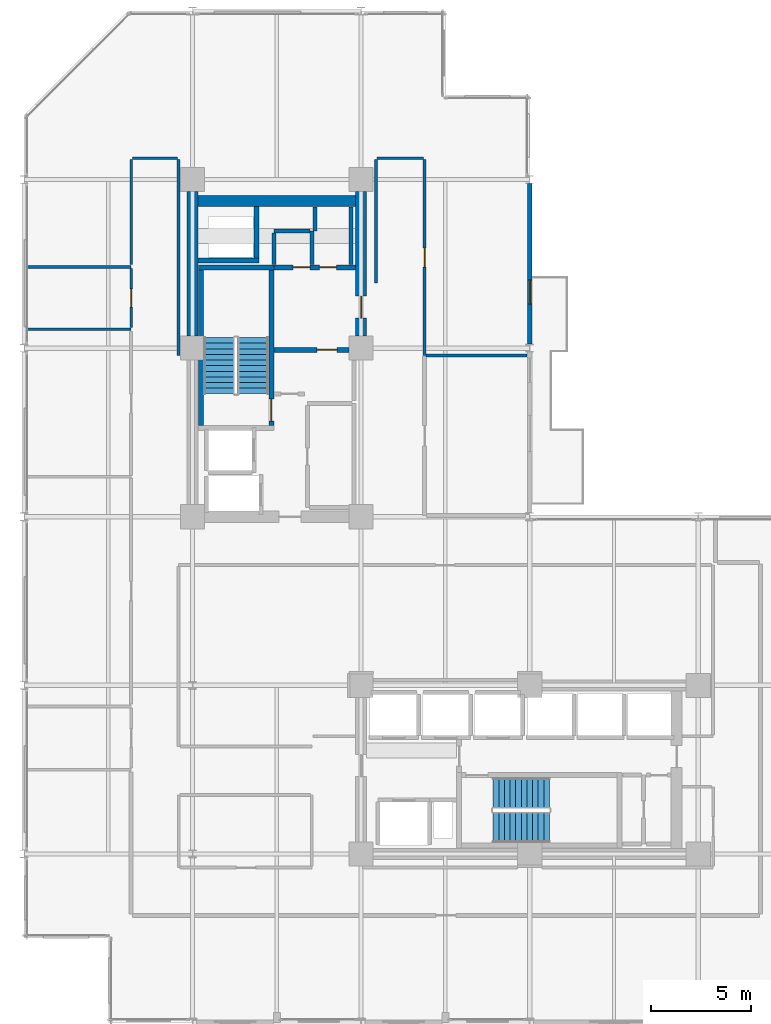
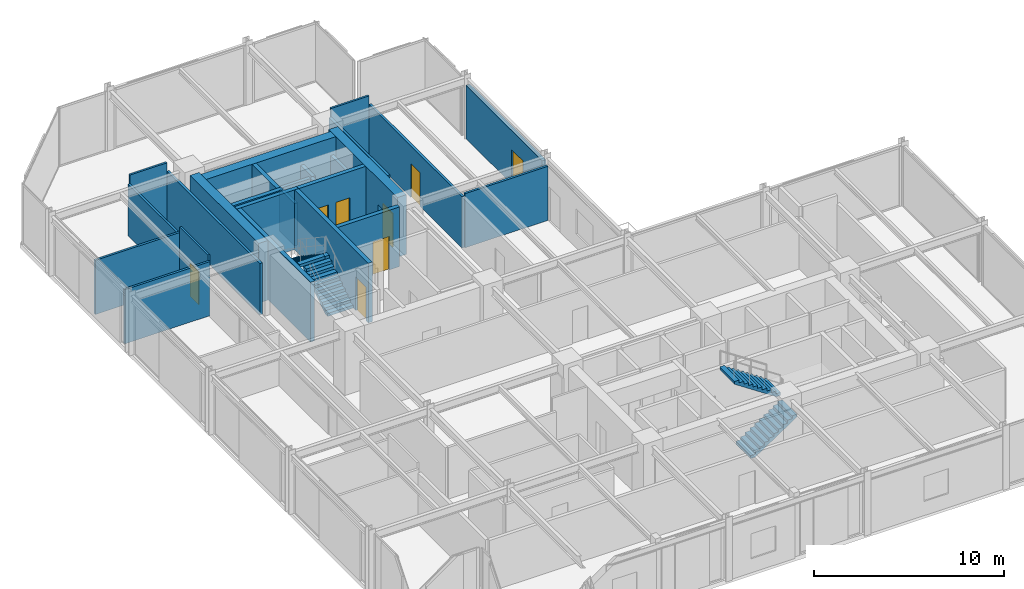
# One storey, part 26 of 29: 26 walls, 8 doors, 4 stair flights, 8 openings, 2 elements without a shape of their own.
"""IFC4 building model written with IfcOpenShell, lengths in metres."""

from ifc_helpers import new_model, si_unit, direction, frame, frame_2d, origin, place, context, subcontext, project, spatial, polyline, rectangle, outline, extrude, material, layer, layer_set, type_object, element, fill, aggregate, save


model = new_model("IFC4")

# Units and contexts
model_context = context("Model", 3, precision=1e-05, world=origin(), true_north=direction((0.0, 1.0)))
body_context = subcontext(model_context, "Body", "Model", "MODEL_VIEW")
ifc_project = project(units=[si_unit("LENGTHUNIT", "METRE"), si_unit("AREAUNIT", "SQUARE_METRE"), si_unit("VOLUMEUNIT", "CUBIC_METRE"), si_unit("PLANEANGLEUNIT", "RADIAN"), si_unit("MASSUNIT", "GRAM", prefix="KILO")], contexts=[model_context])

# Site, building, storey
site_placement = place(None, origin())
site = spatial("IfcSite", under=ifc_project, at=site_placement, CompositionType="ELEMENT")
building_placement = place(site_placement, origin())
building = spatial("IfcBuilding", under=site, at=building_placement, Name="Nerrivon Quay Data Exchange", CompositionType="ELEMENT")
storey_placement = place(building_placement, frame((0.0, 0.0, 133.60009765625)))
storey = spatial("IfcBuildingStorey", under=building, at=storey_placement, Name="L31", CompositionType="ELEMENT", Elevation=133.60009765625)

# Wall, opening, door
ifc_material_1 = material(Name="Architectural terracotta precast concrete N50 (50 MPa)", Category="masonry")
ifc_layer_1 = layer(ifc_material_1, 0.239990234375)
ifc_layer_set_1 = layer_set([ifc_layer_1], Name="Architectural terracotta precast concrete N50 (50 MPa)")
wall_type_1 = type_object("IfcWallType", Name="EW-PREC-240", PredefinedType="STANDARD", material=ifc_layer_set_1)
wall_1_placement = place(storey_placement, frame((25.199951171875, 41.800048828125, 0.0), z_axis=(0.0, 0.0, 1.0), x_axis=(0.0, -1.0, 0.0)))
wall_1 = element("IfcWall", 1, at=wall_1_placement, inside=storey, type_object=wall_type_1, Name="L31 Terrace Host Wall 24", PredefinedType="STANDARD", context=body_context, shape_type="SweptSolid", body=[
    extrude(rectangle(XDim=8.0, YDim=0.239990234375, at=frame_2d((4.0, 0.0))), origin(), (0.0, 0.0, 1.0), 3.421875),
])
opening_1_placement = place(wall_1_placement, frame((4.800048828125, 0.0, 0.0)))
opening_1 = element("IfcOpeningElement", 2, at=opening_1_placement, cuts=wall_1, Name="Opening TD1", PredefinedType="OPENING", context=body_context, shape_type="SweptSolid", body=[
    extrude(rectangle(XDim=1.199951171875, YDim=2.199951171875, at=frame_2d((0.60009765625, 1.10009765625))), frame((0.0, 0.1298828125, 0.0), z_axis=(0.0, -1.0, 0.0), x_axis=(1.0, 0.0, 0.0)), (0.0, 0.0, 1.0), 0.260009765625),
])
ifc_material_2 = material(Name="Double-glazed low-E solar control glass", Category="glass")
door_type_1 = type_object("IfcDoorType", Name="DR-TERR-1200x2200", OperationType="NOTDEFINED", PredefinedType="DOOR", material=ifc_material_2)
door_1_placement = place(opening_1_placement, origin())
door_1 = element("IfcDoor", 3, at=door_1_placement, inside=storey, type_object=door_type_1, Name="L31 Outdoor Terrace Access Door 24", OperationType="SINGLE_SWING_LEFT", OverallHeight=2.199951171875, OverallWidth=1.199951171875, PredefinedType="DOOR", context=body_context, shape_type="SweptSolid", body=[
    extrude(rectangle(XDim=1.199951171875, YDim=2.199951171875, at=frame_2d((0.60009765625, 1.10009765625))), frame((0.0, 0.02490234375, 0.0), z_axis=(0.0, -1.0, 0.0), x_axis=(1.0, 0.0, 0.0)), (0.0, 0.0, 1.0), 0.050048828125),
])
fill(opening_1, door_1)

# Walls
ifc_material_3 = material(Name="Concrete S65 (65 MPa)", Category="concrete")
ifc_layer_2 = layer(ifc_material_3, 0.550048828125)
ifc_layer_set_2 = layer_set([ifc_layer_2], Name="Concrete S65 (65 MPa)")
wall_type_2 = type_object("IfcWallType", Name="WALL-CW-700", PredefinedType="SHEAR", material=ifc_layer_set_2)
wall_2_placement = place(storey_placement, frame((8.39990234375, 34.199951171875, 0.0), z_axis=(0.0, 0.0, 1.0), x_axis=(0.0, 1.0, 0.0)))
element("IfcWall", 4, at=wall_2_placement, inside=storey, type_object=wall_type_2, Name="L31 West Split-Core Shear Wall WCW-W2", PredefinedType="SHEAR", context=body_context, shape_type="SweptSolid", body=[
    extrude(rectangle(XDim=7.199951171875, YDim=0.550048828125, at=frame_2d((3.60009765625, 0.0))), origin(), (0.0, 0.0, 1.0), 3.824951171875),
])
wall_3_placement = place(storey_placement, frame((8.675048828125, 40.925048828125, 0.0), z_axis=(0.0, 0.0, 1.0), x_axis=(1.0, 0.0, 0.0)))
element("IfcWall", 5, at=wall_3_placement, inside=storey, type_object=wall_type_2, Name="L31 West Split-Core Shear Wall WCW-N1", PredefinedType="SHEAR", context=body_context, shape_type="SweptSolid", body=[
    extrude(rectangle(XDim=7.849853515625, YDim=0.550048828125, at=frame_2d((3.9248046875, 0.0))), origin(), (0.0, 0.0, 1.0), 3.824951171875),
])

# Wall, opening, door
wall_4_placement = place(storey_placement, frame((16.800048828125, 34.199951171875, 0.0), z_axis=(0.0, 0.0, 1.0), x_axis=(0.0, 1.0, 0.0)))
wall_4 = element("IfcWall", 6, at=wall_4_placement, inside=storey, type_object=wall_type_2, Name="L31 West Split-Core Shear Wall WCW-E1", PredefinedType="SHEAR", context=body_context, shape_type="SweptSolid", body=[
    extrude(rectangle(XDim=7.199951171875, YDim=0.550048828125, at=frame_2d((3.60009765625, 0.0))), origin(), (0.0, 0.0, 1.0), 3.824951171875),
])
opening_2_placement = place(wall_4_placement, frame((0.89990234375, 0.0, 0.0)))
opening_2 = element("IfcOpeningElement", 7, at=opening_2_placement, cuts=wall_4, Name="Opening FD-120", PredefinedType="OPENING", context=body_context, shape_type="SweptSolid", body=[
    extrude(rectangle(XDim=1.10009765625, YDim=2.14990234375, at=frame_2d((0.550048828125, 1.074951171875))), frame((0.0, 0.284912109375, 0.0), z_axis=(0.0, -1.0, 0.0), x_axis=(1.0, 0.0, 0.0)), (0.0, 0.0, 1.0), 0.570068359375),
])
ifc_material_4 = material(Name="Powder-coated galvanized steel sheet", Category="steel")
door_type_2 = type_object("IfcDoorType", Name="DR-FD120-1100", OperationType="NOTDEFINED", PredefinedType="DOOR", material=ifc_material_4)
door_2_placement = place(opening_2_placement, origin())
door_2 = element("IfcDoor", 8, at=door_2_placement, inside=storey, type_object=door_type_2, Name="L31 West Core Lobby Fire Door", OperationType="SINGLE_SWING_LEFT", OverallHeight=2.14990234375, OverallWidth=1.10009765625, PredefinedType="DOOR", context=body_context, shape_type="SweptSolid", body=[
    extrude(rectangle(XDim=1.10009765625, YDim=2.14990234375, at=frame_2d((0.550048828125, 1.074951171875))), frame((0.0, 0.02490234375, 0.0), z_axis=(0.0, -1.0, 0.0), x_axis=(1.0, 0.0, 0.0)), (0.0, 0.0, 1.0), 0.050048828125),
])
fill(opening_2, door_2)

# Walls
ifc_material_5 = material(Name="Gypsum plasterboard on cold-formed framing", Category="gypsum")
ifc_layer_3 = layer(ifc_material_5, 0.199951171875)
ifc_layer_set_3 = layer_set([ifc_layer_3], Name="Gypsum plasterboard on cold-formed framing")
wall_type_3 = type_object("IfcWallType", Name="WALL-FW-200", PredefinedType="PARTITIONING", material=ifc_layer_set_3)
wall_5_placement = place(storey_placement, frame((14.35009765625, 37.780029296875, 0.0), z_axis=(0.0, 0.0, 1.0), x_axis=(0.0, 1.0, 0.0)))
element("IfcWall", 9, at=wall_5_placement, inside=storey, type_object=wall_type_3, Name="L31 Partition Equipment Store", PredefinedType="PARTITIONING", context=body_context, shape_type="SweptSolid", body=[
    extrude(rectangle(XDim=1.669921875, YDim=0.199951171875, at=frame_2d((0.8349609375, 0.0))), origin(), (0.0, 0.0, 1.0), 2.724853515625),
])
wall_6_placement = place(storey_placement, frame((14.24609375, 39.449951171875, 0.0), z_axis=(0.0, 0.0, 1.0), x_axis=(-1.0, 0.0, 0.0)))
element("IfcWall", 10, at=wall_6_placement, inside=storey, type_object=wall_type_3, Name="L31 Partition Equipment Store", PredefinedType="PARTITIONING", context=body_context, shape_type="SweptSolid", body=[
    extrude(rectangle(XDim=1.796142578125, YDim=0.199951171875, at=frame_2d((0.89794921875, 0.0))), origin(), (0.0, 0.0, 1.0), 2.724853515625),
])
wall_7_placement = place(storey_placement, frame((12.449951171875, 39.345947265625, 0.0), z_axis=(0.0, 0.0, 1.0), x_axis=(0.0, -1.0, 0.0)))
element("IfcWall", 11, at=wall_7_placement, inside=storey, type_object=wall_type_3, Name="L31 Partition Equipment Store", PredefinedType="PARTITIONING", context=body_context, shape_type="SweptSolid", body=[
    extrude(rectangle(XDim=1.56591796875, YDim=0.199951171875, at=frame_2d((0.782958984375, 0.0))), origin(), (0.0, 0.0, 1.0), 2.724853515625),
])
wall_8_placement = place(storey_placement, frame((16.300048828125, 37.780029296875, 0.0), z_axis=(0.0, 0.0, 1.0), x_axis=(0.0, 1.0, 0.0)))
element("IfcWall", 12, at=wall_8_placement, inside=storey, type_object=wall_type_3, Name="L31 Partition Cleaners Store", PredefinedType="PARTITIONING", context=body_context, shape_type="SweptSolid", body=[
    extrude(rectangle(XDim=2.865966796875, YDim=0.199951171875, at=frame_2d((1.43310546875, 0.0))), origin(), (0.0, 0.0, 1.0), 2.724853515625),
])
wall_9_placement = place(storey_placement, frame((14.489990234375, 40.64599609375, 0.0), z_axis=(0.0, 0.0, 1.0), x_axis=(0.0, -1.0, 0.0)))
element("IfcWall", 13, at=wall_9_placement, inside=storey, type_object=wall_type_3, Name="L31 Partition Cleaners Store", PredefinedType="PARTITIONING", context=body_context, shape_type="SweptSolid", body=[
    extrude(rectangle(XDim=1.196044921875, YDim=0.199951171875, at=frame_2d((0.59814453125, 0.0))), origin(), (0.0, 0.0, 1.0), 2.724853515625),
])

# Wall, opening, door
ifc_layer_4 = layer(ifc_material_5, 0.1201171875)
ifc_layer_set_4 = layer_set([ifc_layer_4], Name="Gypsum plasterboard on cold-formed framing")
wall_type_4 = type_object("IfcWallType", Name="WALL-PT-120", PredefinedType="PARTITIONING", material=ifc_layer_set_4)
wall_10_placement = place(storey_placement, frame((5.340087890625, 34.62158203125, 0.0), z_axis=(0.0, 0.0, 1.0), x_axis=(0.0, 1.0, 0.0)))
wall_10 = element("IfcWall", 14, at=wall_10_placement, inside=storey, type_object=wall_type_4, Name="L31 Partition Public Washrooms", PredefinedType="PARTITIONING", context=body_context, shape_type="SweptSolid", body=[
    extrude(rectangle(XDim=2.95703125, YDim=0.1201171875, at=frame_2d((1.478515625, 0.0))), origin(), (0.0, 0.0, 1.0), 3.824951171875),
])
opening_3_placement = place(wall_10_placement, frame((1.0185546875, 0.0, 0.0)))
opening_3 = element("IfcOpeningElement", 15, at=opening_3_placement, cuts=wall_10, Name="Opening D-WC", PredefinedType="OPENING", context=body_context, shape_type="SweptSolid", body=[
    extrude(rectangle(XDim=0.919921875, YDim=2.10009765625, at=frame_2d((0.4599609375, 1.050048828125))), frame((0.0, 0.070068359375, 0.0), z_axis=(0.0, -1.0, 0.0), x_axis=(1.0, 0.0, 0.0)), (0.0, 0.0, 1.0), 0.14013671875),
])
ifc_material_6 = material(Name="Engineered hardwood timber", Category="wood")
door_type_3 = type_object("IfcDoorType", Name="DR-WC-920", OperationType="NOTDEFINED", PredefinedType="DOOR", material=ifc_material_6)
door_3_placement = place(opening_3_placement, origin())
door_3 = element("IfcDoor", 16, at=door_3_placement, inside=storey, type_object=door_type_3, Name="L31 Door Public Washrooms", OperationType="SINGLE_SWING_RIGHT", OverallHeight=2.10009765625, OverallWidth=0.919921875, PredefinedType="DOOR", context=body_context, shape_type="SweptSolid", body=[
    extrude(rectangle(XDim=0.919921875, YDim=2.10009765625, at=frame_2d((0.4599609375, 1.050048828125))), frame((0.0, 0.02490234375, 0.0), z_axis=(0.0, -1.0, 0.0), x_axis=(1.0, 0.0, 0.0)), (0.0, 0.0, 1.0), 0.050048828125),
])
fill(opening_3, door_3)

# Walls
wall_11_placement = place(storey_placement, frame((5.39990234375, 43.06005859375, 0.0), z_axis=(0.0, 0.0, 1.0), x_axis=(1.0, 0.0, 0.0)))
element("IfcWall", 17, at=wall_11_placement, inside=storey, type_object=wall_type_4, Name="L31 Partition Technical Library", PredefinedType="PARTITIONING", context=body_context, shape_type="SweptSolid", body=[
    extrude(rectangle(XDim=2.25, YDim=0.1201171875, at=frame_2d((1.125, 0.0))), origin(), (0.0, 0.0, 1.0), 3.824951171875),
])
wall_12_placement = place(storey_placement, frame((17.60009765625, 43.06005859375, 0.0), z_axis=(0.0, 0.0, 1.0), x_axis=(1.0, 0.0, 0.0)))
element("IfcWall", 18, at=wall_12_placement, inside=storey, type_object=wall_type_4, Name="L31 Partition Technical Library", PredefinedType="PARTITIONING", context=body_context, shape_type="SweptSolid", body=[
    extrude(rectangle(XDim=2.2998046875, YDim=0.1201171875, at=frame_2d((1.14990234375, 0.0))), origin(), (0.0, 0.0, 1.0), 3.824951171875),
])
ifc_layer_5 = layer(ifc_material_5, 0.135009765625)
ifc_layer_set_5 = layer_set([ifc_layer_5], Name="Gypsum plasterboard on cold-formed framing")
wall_type_5 = type_object("IfcWallType", Name="WALL-PT-135", PredefinedType="PARTITIONING", material=ifc_layer_set_5)
for number, where, z_axis, x_axis, name in (
    (19, (5.340087890625, 37.64990234375, 0.0), (0.0, 0.0, 1.0), (-1.0, 0.0, 0.0), "L31 Partition Public Washrooms"),
    (20, (0.1689453125, 34.550048828125, 0.0), (0.0, 0.0, 1.0), (1.0, 0.0, 0.0), "L31 Partition Public Washrooms"),
):
    element("IfcWall", number, at=place(storey_placement, frame(where, z_axis=z_axis, x_axis=x_axis)), inside=storey, type_object=wall_type_5, Name=name, PredefinedType="PARTITIONING", context=body_context, shape_type="SweptSolid", body=[
        extrude(rectangle(XDim=5.171142578125, YDim=0.135009765625, at=frame_2d((2.58544921875, 0.0))), origin(), (0.0, 0.0, 1.0), 3.468994140625),
    ])
wall_13_placement = place(storey_placement, frame((20.0390625, 33.23193359375, 0.0), z_axis=(0.0, 0.0, 1.0), x_axis=(1.0, 0.0, 0.0)))
element("IfcWall", 21, at=wall_13_placement, inside=storey, type_object=wall_type_5, Name="L31 Partition Technical Library", PredefinedType="PARTITIONING", context=body_context, shape_type="SweptSolid", body=[
    extrude(rectangle(XDim=5.036865234375, YDim=0.135009765625, at=frame_2d((2.5185546875, 0.0))), origin(), (0.0, 0.0, 1.0), 3.468994140625),
])
wall_14_placement = place(storey_placement, frame((5.340087890625, 37.77001953125, 0.0), z_axis=(0.0, 0.0, 1.0), x_axis=(0.0, 1.0, 0.0)))
element("IfcWall", 22, at=wall_14_placement, inside=storey, type_object=wall_type_5, Name="L31 Partition Technical Library", PredefinedType="PARTITIONING", context=body_context, shape_type="SweptSolid", body=[
    extrude(rectangle(XDim=5.22998046875, YDim=0.135009765625, at=frame_2d((2.614990234375, 0.0))), origin(), (0.0, 0.0, 1.0), 3.2919921875),
])

# Wall, opening, door
ifc_layer_6 = layer(ifc_material_5, 0.14990234375)
ifc_layer_set_6 = layer_set([ifc_layer_6], Name="Gypsum plasterboard on cold-formed framing")
wall_type_6 = type_object("IfcWallType", Name="WALL-PT-150", PredefinedType="PARTITIONING", material=ifc_layer_set_6)
wall_15_placement = place(storey_placement, frame((19.9599609375, 43.0, 0.0), z_axis=(0.0, 0.0, 1.0), x_axis=(0.0, -1.0, 0.0)))
wall_15 = element("IfcWall", 23, at=wall_15_placement, inside=storey, type_object=wall_type_6, Name="L31 Partition Technical Library", PredefinedType="PARTITIONING", context=body_context, shape_type="SweptSolid", body=[
    extrude(rectangle(XDim=9.76806640625, YDim=0.14990234375, at=frame_2d((4.884033203125, 0.0))), origin(), (0.0, 0.0, 1.0), 3.2919921875),
])
opening_4_placement = place(wall_15_placement, frame((4.408935546875, 0.0, 0.0)))
opening_4 = element("IfcOpeningElement", 24, at=opening_4_placement, cuts=wall_15, Name="Opening D-01", PredefinedType="OPENING", context=body_context, shape_type="SweptSolid", body=[
    extrude(rectangle(XDim=0.949951171875, YDim=2.14990234375, at=frame_2d((0.47509765625, 1.074951171875))), frame((0.0, 0.0849609375, 0.0), z_axis=(0.0, -1.0, 0.0), x_axis=(1.0, 0.0, 0.0)), (0.0, 0.0, 1.0), 0.169921875),
])
door_type_4 = type_object("IfcDoorType", Name="DR-INT-950", OperationType="NOTDEFINED", PredefinedType="DOOR", material=ifc_material_6)
door_4_placement = place(opening_4_placement, origin())
door_4 = element("IfcDoor", 25, at=door_4_placement, inside=storey, type_object=door_type_4, Name="L31 Door Technical Library", OperationType="SINGLE_SWING_RIGHT", OverallHeight=2.14990234375, OverallWidth=0.949951171875, PredefinedType="DOOR", context=body_context, shape_type="SweptSolid", body=[
    extrude(rectangle(XDim=0.949951171875, YDim=2.14990234375, at=frame_2d((0.47509765625, 1.074951171875))), frame((0.0, 0.02490234375, 0.0), z_axis=(0.0, -1.0, 0.0), x_axis=(1.0, 0.0, 0.0)), (0.0, 0.0, 1.0), 0.050048828125),
])
fill(opening_4, door_4)

# Walls
wall_16_placement = place(storey_placement, frame((7.7099609375, 43.0, 0.0), z_axis=(0.0, 0.0, 1.0), x_axis=(0.0, -1.0, 0.0)))
element("IfcWall", 26, at=wall_16_placement, inside=storey, type_object=wall_type_6, Name="L31 Partition Technical Library", PredefinedType="PARTITIONING", context=body_context, shape_type="SweptSolid", body=[
    extrude(rectangle(XDim=9.76806640625, YDim=0.14990234375, at=frame_2d((4.884033203125, 0.0))), origin(), (0.0, 0.0, 1.0), 3.2919921875),
])
wall_17_placement = place(storey_placement, frame((17.5400390625, 36.860107421875, 0.0), z_axis=(0.0, 0.0, 1.0), x_axis=(0.0, 1.0, 0.0)))
element("IfcWall", 27, at=wall_17_placement, inside=storey, type_object=wall_type_6, Name="L31 Partition Technical Library", PredefinedType="PARTITIONING", context=body_context, shape_type="SweptSolid", body=[
    extrude(rectangle(XDim=6.139892578125, YDim=0.14990234375, at=frame_2d((3.06982421875, 0.0))), origin(), (0.0, 0.0, 1.0), 3.2919921875),
])
ifc_material_7 = material(Name="Concrete N50 (50 MPa)", Category="concrete")
ifc_layer_7 = layer(ifc_material_7, 0.25)
ifc_layer_set_7 = layer_set([ifc_layer_7], Name="Concrete N50 (50 MPa)")
wall_type_7 = type_object("IfcWallType", Name="WALL-SW-250", PredefinedType="SHEAR", material=ifc_layer_set_7)
wall_18_placement = place(storey_placement, frame((12.449951171875, 37.625, 0.0), z_axis=(0.0, 0.0, 1.0), x_axis=(-1.0, 0.0, 0.0)))
element("IfcWall", 28, at=wall_18_placement, inside=storey, type_object=wall_type_7, Name="L31 ST01 Structural Stair Core Wall FAR", PredefinedType="SHEAR", context=body_context, shape_type="SweptSolid", body=[
    extrude(rectangle(XDim=3.75, YDim=0.25, at=frame_2d((1.875, 0.0))), origin(), (0.0, 0.0, 1.0), 3.824951171875),
])

# Wall, opening, door
wall_19_placement = place(storey_placement, frame((12.324951171875, 29.75, 0.0), z_axis=(0.0, 0.0, 1.0), x_axis=(0.0, 1.0, 0.0)))
wall_19 = element("IfcWall", 29, at=wall_19_placement, inside=storey, type_object=wall_type_7, Name="L31 ST01 Structural Stair Core Wall LEFT", PredefinedType="SHEAR", context=body_context, shape_type="SweptSolid", body=[
    extrude(rectangle(XDim=7.75, YDim=0.25, at=frame_2d((3.875, 0.0))), origin(), (0.0, 0.0, 1.0), 3.824951171875),
])
opening_5_placement = place(wall_19_placement, frame((0.219970703125, 0.0, 0.0)))
opening_5 = element("IfcOpeningElement", 30, at=opening_5_placement, cuts=wall_19, Name="Opening FD-120", PredefinedType="OPENING", context=body_context, shape_type="SweptSolid", body=[
    extrude(rectangle(XDim=1.10009765625, YDim=2.14990234375, at=frame_2d((0.550048828125, 1.074951171875))), frame((0.0, 0.135009765625, 0.0), z_axis=(0.0, -1.0, 0.0), x_axis=(1.0, 0.0, 0.0)), (0.0, 0.0, 1.0), 0.27001953125),
])
door_5_placement = place(opening_5_placement, origin())
door_5 = element("IfcDoor", 31, at=door_5_placement, inside=storey, type_object=door_type_2, Name="L31 Protected Stair Door ST01", OperationType="SINGLE_SWING_LEFT", OverallHeight=2.14990234375, OverallWidth=1.10009765625, PredefinedType="DOOR", context=body_context, shape_type="SweptSolid", body=[
    extrude(rectangle(XDim=1.10009765625, YDim=2.14990234375, at=frame_2d((0.550048828125, 1.074951171875))), frame((0.0, 0.02490234375, 0.0), z_axis=(0.0, -1.0, 0.0), x_axis=(1.0, 0.0, 0.0)), (0.0, 0.0, 1.0), 0.050048828125),
])
fill(opening_5, door_5)

# Walls
wall_20_placement = place(storey_placement, frame((8.824951171875, 29.75, 0.0), z_axis=(0.0, 0.0, 1.0), x_axis=(0.0, 1.0, 0.0)))
element("IfcWall", 32, at=wall_20_placement, inside=storey, type_object=wall_type_7, Name="L31 ST01 Structural Stair Core Wall RIGHT", PredefinedType="SHEAR", context=body_context, shape_type="SweptSolid", body=[
    extrude(rectangle(XDim=7.75, YDim=0.25, at=frame_2d((3.875, 0.0))), origin(), (0.0, 0.0, 1.0), 3.824951171875),
])
wall_21_placement = place(storey_placement, frame((8.675048828125, 37.97509765625, 0.0), z_axis=(0.0, 0.0, 1.0), x_axis=(1.0, 0.0, 0.0)))
element("IfcWall", 33, at=wall_21_placement, inside=storey, type_object=wall_type_7, Name="L31 West Core MEP Riser Shaft Wall S", PredefinedType="SHEAR", context=body_context, shape_type="SweptSolid", body=[
    extrude(rectangle(XDim=3.02490234375, YDim=0.25, at=frame_2d((1.512451171875, 0.0))), origin(), (0.0, 0.0, 1.0), 3.824951171875),
])
wall_22_placement = place(storey_placement, frame((11.574951171875, 38.10009765625, 0.0), z_axis=(0.0, 0.0, 1.0), x_axis=(0.0, 1.0, 0.0)))
element("IfcWall", 34, at=wall_22_placement, inside=storey, type_object=wall_type_7, Name="L31 West Core MEP Riser Shaft Wall E", PredefinedType="SHEAR", context=body_context, shape_type="SweptSolid", body=[
    extrude(rectangle(XDim=2.5498046875, YDim=0.25, at=frame_2d((1.27490234375, 0.0))), origin(), (0.0, 0.0, 1.0), 3.824951171875),
])

# Wall, opening, door
wall_23_placement = place(storey_placement, frame((12.449951171875, 33.52001953125, 0.0), z_axis=(0.0, 0.0, 1.0), x_axis=(1.0, 0.0, 0.0)))
wall_23 = element("IfcWall", 35, at=wall_23_placement, inside=storey, type_object=wall_type_7, Name="L31 West Lobby Smoke-Stop Wall", PredefinedType="SHEAR", context=body_context, shape_type="SweptSolid", body=[
    extrude(rectangle(XDim=3.75, YDim=0.25, at=frame_2d((1.875, 0.0))), origin(), (0.0, 0.0, 1.0), 3.824951171875),
])
opening_6_placement = place(wall_23_placement, frame((2.14990234375, 0.0, 0.0)))
opening_6 = element("IfcOpeningElement", 36, at=opening_6_placement, cuts=wall_23, Name="Opening FD-60", PredefinedType="OPENING", context=body_context, shape_type="SweptSolid", body=[
    extrude(rectangle(XDim=1.0, YDim=2.14990234375, at=frame_2d((0.5, 1.074951171875))), frame((0.0, 0.135009765625, 0.0), z_axis=(0.0, -1.0, 0.0), x_axis=(1.0, 0.0, 0.0)), (0.0, 0.0, 1.0), 0.27001953125),
])
door_type_5 = type_object("IfcDoorType", Name="DR-FD60-1000", OperationType="NOTDEFINED", PredefinedType="DOOR", material=ifc_material_6)
door_6_placement = place(opening_6_placement, origin())
door_6 = element("IfcDoor", 37, at=door_6_placement, inside=storey, type_object=door_type_5, Name="L31 West Firefighting Lobby Fire Door", OperationType="SINGLE_SWING_LEFT", OverallHeight=2.14990234375, OverallWidth=1.0, PredefinedType="DOOR", context=body_context, shape_type="SweptSolid", body=[
    extrude(rectangle(XDim=1.0, YDim=2.14990234375, at=frame_2d((0.5, 1.074951171875))), frame((0.0, 0.02490234375, 0.0), z_axis=(0.0, -1.0, 0.0), x_axis=(1.0, 0.0, 0.0)), (0.0, 0.0, 1.0), 0.050048828125),
])
fill(opening_6, door_6)

# Wall, openings, doors
wall_24_placement = place(storey_placement, frame((12.449951171875, 37.625, 0.0), z_axis=(0.0, 0.0, 1.0), x_axis=(1.0, 0.0, 0.0)))
wall_24 = element("IfcWall", 38, at=wall_24_placement, inside=storey, type_object=wall_type_7, Name="L31 West Firefighting Lobby Wall", PredefinedType="SHEAR", context=body_context, shape_type="SweptSolid", body=[
    extrude(rectangle(XDim=4.074951171875, YDim=0.25, at=frame_2d((2.03759765625, 0.0))), origin(), (0.0, 0.0, 1.0), 3.824951171875),
])
opening_7_placement = place(wall_24_placement, frame((0.96044921875, 0.0, 0.0)))
opening_7 = element("IfcOpeningElement", 39, at=opening_7_placement, cuts=wall_24, Name="Opening FD-60S", PredefinedType="OPENING", context=body_context, shape_type="SweptSolid", body=[
    extrude(rectangle(XDim=0.85009765625, YDim=2.14990234375, at=frame_2d((0.425048828125, 1.074951171875))), frame((0.0, 0.135009765625, 0.0), z_axis=(0.0, -1.0, 0.0), x_axis=(1.0, 0.0, 0.0)), (0.0, 0.0, 1.0), 0.27001953125),
])
opening_8_placement = place(wall_24_placement, frame((2.264404296875, 0.0, 0.0)))
opening_8 = element("IfcOpeningElement", 40, at=opening_8_placement, cuts=wall_24, Name="Opening FD-60S", PredefinedType="OPENING", context=body_context, shape_type="SweptSolid", body=[
    extrude(rectangle(XDim=0.85009765625, YDim=2.14990234375, at=frame_2d((0.425048828125, 1.074951171875))), frame((0.0, 0.135009765625, 0.0), z_axis=(0.0, -1.0, 0.0), x_axis=(1.0, 0.0, 0.0)), (0.0, 0.0, 1.0), 0.27001953125),
])
door_type_6 = type_object("IfcDoorType", Name="DR-FD60-850", OperationType="NOTDEFINED", PredefinedType="DOOR", material=ifc_material_6)
door_7_placement = place(opening_7_placement, origin())
door_7 = element("IfcDoor", 41, at=door_7_placement, inside=storey, type_object=door_type_6, Name="L31 Door Equipment Store", OperationType="SINGLE_SWING_LEFT", OverallHeight=2.14990234375, OverallWidth=0.85009765625, PredefinedType="DOOR", context=body_context, shape_type="SweptSolid", body=[
    extrude(rectangle(XDim=0.85009765625, YDim=2.14990234375, at=frame_2d((0.425048828125, 1.074951171875))), frame((0.0, 0.02490234375, 0.0), z_axis=(0.0, -1.0, 0.0), x_axis=(1.0, 0.0, 0.0)), (0.0, 0.0, 1.0), 0.050048828125),
])
fill(opening_7, door_7)
door_8_placement = place(opening_8_placement, origin())
door_8 = element("IfcDoor", 42, at=door_8_placement, inside=storey, type_object=door_type_6, Name="L31 Door Cleaners Store", OperationType="SINGLE_SWING_RIGHT", OverallHeight=2.14990234375, OverallWidth=0.85009765625, PredefinedType="DOOR", context=body_context, shape_type="SweptSolid", body=[
    extrude(rectangle(XDim=0.85009765625, YDim=2.14990234375, at=frame_2d((0.425048828125, 1.074951171875))), frame((0.0, 0.02490234375, 0.0), z_axis=(0.0, -1.0, 0.0), x_axis=(1.0, 0.0, 0.0)), (0.0, 0.0, 1.0), 0.050048828125),
])
fill(opening_8, door_8)

# Stair, stair flights
stair_type = type_object("IfcStairType", Name="STAIR-DOG-41", PredefinedType="HALF_TURN_STAIR", material=ifc_material_7)
stair_1_placement = place(storey_placement, origin())
stair_1 = element("IfcStair", 43, at=stair_1_placement, inside=storey, type_object=stair_type, Name="L31 West Core Fire Stair ST01", PredefinedType="HALF_TURN_STAIR")
stair_flight_type = type_object("IfcStairFlightType", Name="FLIGHT-DOG-41", PredefinedType="STRAIGHT", material=ifc_material_7)
stair_flight_1_placement = place(storey_placement, frame((11.425048828125, 31.330078125, 0.0), z_axis=(0.0, 0.0, 1.0), x_axis=(0.0, 1.0, 0.0)))
stair_flight_1 = element("IfcStairFlight", 44, at=stair_flight_1_placement, type_object=stair_flight_type, Name="ST01 flight 1", NumberOfRisers=11, NumberOfTreads=10, PredefinedType="STRAIGHT", RiserHeight=0.186363636, TreadLength=0.28, context=body_context, shape_type="SweptSolid", body=[
    extrude(outline(polyline([(0.0, 0.0), (0.0, 0.186279296875), (0.280029296875, 0.186279296875), (0.280029296875, 0.372802734375), (0.56005859375, 0.372802734375), (0.56005859375, 0.55908203125), (0.840087890625, 0.55908203125), (0.840087890625, 0.745361328125), (1.1201171875, 0.745361328125), (1.1201171875, 0.931884765625), (1.39990234375, 0.931884765625), (1.39990234375, 1.1181640625), (1.679931640625, 1.1181640625), (1.679931640625, 1.304443359375), (1.9599609375, 1.304443359375), (1.9599609375, 1.490966796875), (2.239990234375, 1.490966796875), (2.239990234375, 1.67724609375), (2.52001953125, 1.67724609375), (2.52001953125, 1.863525390625), (2.800048828125, 1.863525390625), (2.800048828125, 2.050048828125), (2.800048828125, 1.68359375), (0.2705078125, 0.0), (0.0, 0.0)])), frame((0.0, 0.77490234375, 0.0), z_axis=(0.0, -1.0, 0.0), x_axis=(1.0, 0.0, 0.0)), (0.0, 0.0, 1.0), 1.550048828125),
])
stair_flight_2_placement = place(storey_placement, frame((9.72509765625, 34.1298828125, 2.0498046875), z_axis=(0.0, 0.0, 1.0), x_axis=(0.0, -1.0, 0.0)))
stair_flight_2 = element("IfcStairFlight", 45, at=stair_flight_2_placement, type_object=stair_flight_type, Name="ST01 flight 2", NumberOfRisers=11, NumberOfTreads=10, PredefinedType="STRAIGHT", RiserHeight=0.186363636, TreadLength=0.28, context=body_context, shape_type="SweptSolid", body=[
    extrude(outline(polyline([(0.0, 0.0), (0.0, 0.186279296875), (0.280029296875, 0.186279296875), (0.280029296875, 0.372802734375), (0.56005859375, 0.372802734375), (0.56005859375, 0.55908203125), (0.840087890625, 0.55908203125), (0.840087890625, 0.745361328125), (1.1201171875, 0.745361328125), (1.1201171875, 0.931884765625), (1.39990234375, 0.931884765625), (1.39990234375, 1.1181640625), (1.679931640625, 1.1181640625), (1.679931640625, 1.304443359375), (1.9599609375, 1.304443359375), (1.9599609375, 1.490966796875), (2.239990234375, 1.490966796875), (2.239990234375, 1.67724609375), (2.52001953125, 1.67724609375), (2.52001953125, 1.863525390625), (2.800048828125, 1.863525390625), (2.800048828125, 2.050048828125), (2.800048828125, 1.68359375), (0.2705078125, 0.0), (0.0, 0.0)])), frame((0.0, 0.77490234375, 0.0), z_axis=(0.0, -1.0, 0.0), x_axis=(1.0, 0.0, 0.0)), (0.0, 0.0, 1.0), 1.550048828125),
])
aggregate(stair_1, [stair_flight_1, stair_flight_2])

stair_2_placement = place(storey_placement, origin())
stair_2 = element("IfcStair", 46, at=stair_2_placement, inside=storey, type_object=stair_type, Name="L31 East Core Fire Stair ST02", PredefinedType="HALF_TURN_STAIR")
stair_flight_3_placement = place(storey_placement, frame((23.3798828125, 9.72509765625, 0.0), z_axis=(0.0, 0.0, 1.0), x_axis=(1.0, 0.0, 0.0)))
stair_flight_3 = element("IfcStairFlight", 47, at=stair_flight_3_placement, type_object=stair_flight_type, Name="ST02 flight 1", NumberOfRisers=11, NumberOfTreads=10, PredefinedType="STRAIGHT", RiserHeight=0.186363636, TreadLength=0.28, context=body_context, shape_type="SweptSolid", body=[
    extrude(outline(polyline([(0.0, 0.0), (0.0, 0.186279296875), (0.280029296875, 0.186279296875), (0.280029296875, 0.372802734375), (0.56005859375, 0.372802734375), (0.56005859375, 0.55908203125), (0.840087890625, 0.55908203125), (0.840087890625, 0.745361328125), (1.1201171875, 0.745361328125), (1.1201171875, 0.931884765625), (1.39990234375, 0.931884765625), (1.39990234375, 1.1181640625), (1.679931640625, 1.1181640625), (1.679931640625, 1.304443359375), (1.9599609375, 1.304443359375), (1.9599609375, 1.490966796875), (2.239990234375, 1.490966796875), (2.239990234375, 1.67724609375), (2.52001953125, 1.67724609375), (2.52001953125, 1.863525390625), (2.800048828125, 1.863525390625), (2.800048828125, 2.050048828125), (2.800048828125, 1.68359375), (0.2705078125, 0.0), (0.0, 0.0)])), frame((0.0, 0.77490234375, 0.0), z_axis=(0.0, -1.0, 0.0), x_axis=(1.0, 0.0, 0.0)), (0.0, 0.0, 1.0), 1.550048828125),
])
stair_flight_4_placement = place(storey_placement, frame((26.179931640625, 11.425048828125, 2.0498046875), z_axis=(0.0, 0.0, 1.0), x_axis=(-1.0, 0.0, 0.0)))
stair_flight_4 = element("IfcStairFlight", 48, at=stair_flight_4_placement, type_object=stair_flight_type, Name="ST02 flight 2", NumberOfRisers=11, NumberOfTreads=10, PredefinedType="STRAIGHT", RiserHeight=0.186363636, TreadLength=0.28, context=body_context, shape_type="SweptSolid", body=[
    extrude(outline(polyline([(0.0, 0.0), (0.0, 0.186279296875), (0.280029296875, 0.186279296875), (0.280029296875, 0.372802734375), (0.56005859375, 0.372802734375), (0.56005859375, 0.55908203125), (0.840087890625, 0.55908203125), (0.840087890625, 0.745361328125), (1.1201171875, 0.745361328125), (1.1201171875, 0.931884765625), (1.39990234375, 0.931884765625), (1.39990234375, 1.1181640625), (1.679931640625, 1.1181640625), (1.679931640625, 1.304443359375), (1.9599609375, 1.304443359375), (1.9599609375, 1.490966796875), (2.239990234375, 1.490966796875), (2.239990234375, 1.67724609375), (2.52001953125, 1.67724609375), (2.52001953125, 1.863525390625), (2.800048828125, 1.863525390625), (2.800048828125, 2.050048828125), (2.800048828125, 1.68359375), (0.2705078125, 0.0), (0.0, 0.0)])), frame((0.0, 0.77490234375, 0.0), z_axis=(0.0, -1.0, 0.0), x_axis=(1.0, 0.0, 0.0)), (0.0, 0.0, 1.0), 1.550048828125),
])
aggregate(stair_2, [stair_flight_3, stair_flight_4])

save(model, "model.ifc")
